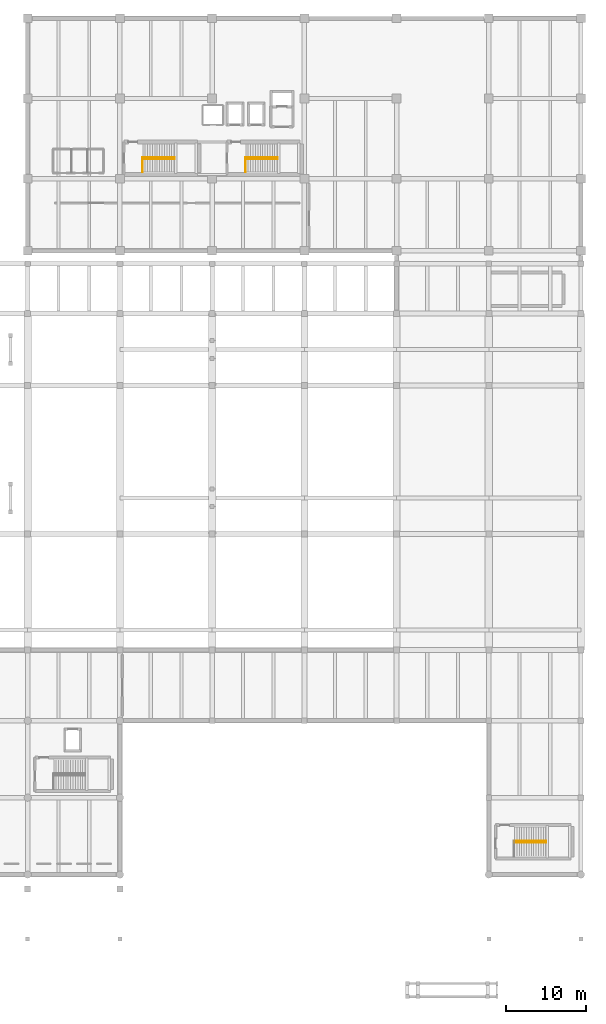
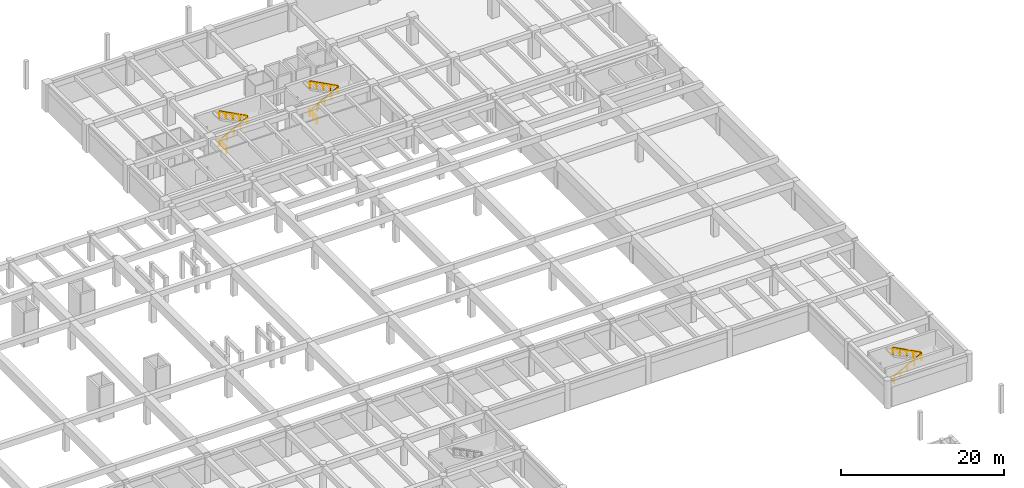
# One storey, part 20 of 20: 11 railings.
"""IFC4 building model written with IfcOpenShell, lengths in metres."""

import ifcopenshell
import ifcopenshell.guid

model = None  # the IFC model being written
_history = None  # IfcOwnerHistory: only IFC2X3 demands one
_inside = {}  # id of a spatial element -> (the spatial element, [elements in it])
_under = {}  # id of a project, library or spatial element -> (it, [spatial elements below it])
_declared = {}  # id of a project -> (the project, [libraries it declares])
_typed = {}  # id of a type object -> (the type object, [elements of that type])
_made_of = {}  # id of a material, layer set ... -> (it, [elements and type objects made of it])


def new_model(schema):
    """Start an empty IFC model of exactly this schema.

    Asked for "IFC4X3", IfcOpenShell would pick the latest addendum, in which some entities
    have other attributes; the version numbers below select the first issue.
    IFC2X3 requires an IfcOwnerHistory on every rooted entity: one is made here for all.
    """
    global model, _history
    if schema == "IFC4X3":
        model = ifcopenshell.file(schema_version=(4, 3, 0, 0))
    else:
        model = ifcopenshell.file(schema=schema)
    _inside.clear()
    _under.clear()
    _declared.clear()
    _typed.clear()
    _made_of.clear()
    _history = None
    if model.schema == "IFC2X3":
        org = make("IfcOrganization", Name="unknown")
        user = make(
            "IfcPersonAndOrganization",
            ThePerson=make("IfcPerson", FamilyName="unknown"),
            TheOrganization=org,
        )
        app = make(
            "IfcApplication",
            ApplicationDeveloper=org,
            Version="unknown",
            ApplicationFullName="unknown",
            ApplicationIdentifier="unknown",
        )
        _history = make(
            "IfcOwnerHistory",
            OwningUser=user,
            OwningApplication=app,
            ChangeAction="ADDED",
            CreationDate=0,
        )
    return model


def make(cls, **values):
    """One entity of the class cls with the attributes given. An attribute that is None is left unset."""
    return model.create_entity(
        cls, **{name: value for name, value in values.items() if value is not None}
    )


def rooted(cls, **values):
    """An entity with a GlobalId (a new one), such as an element, a storey or a relation."""
    return make(cls, GlobalId=ifcopenshell.guid.new(), OwnerHistory=_history, **values)


def si_unit(unit_type, name, prefix=None):
    """IfcSIUnit, for example si_unit("LENGTHUNIT", "METRE", prefix="MILLI")."""
    return make("IfcSIUnit", UnitType=unit_type, Prefix=prefix, Name=name)


def assignment(units):
    """IfcUnitAssignment: the units of a project."""
    return None if units is None else make("IfcUnitAssignment", Units=units)


def point(xyz):
    """IfcCartesianPoint."""
    return None if xyz is None else make("IfcCartesianPoint", Coordinates=xyz)


def direction(xyz):
    """IfcDirection."""
    return None if xyz is None else make("IfcDirection", DirectionRatios=xyz)


def frame(location, z_axis=None, x_axis=None):
    """IfcAxis2Placement3D, a coordinate frame: its origin and axes. An axis left out is left unset."""
    return make(
        "IfcAxis2Placement3D",
        Location=point(location),
        Axis=direction(z_axis),
        RefDirection=direction(x_axis),
    )


def frame_2d(location, x_axis=None):
    """IfcAxis2Placement2D, a coordinate frame in the plane: its origin and x axis."""
    return make(
        "IfcAxis2Placement2D", Location=point(location), RefDirection=direction(x_axis)
    )


def origin():
    """The frame at (0, 0, 0) with its axes left unset."""
    return frame((0.0, 0.0, 0.0))


def origin_2d():
    """The frame at (0, 0) in the plane with its x axis left unset."""
    return frame_2d((0.0, 0.0))


def place(relative_to, where):
    """IfcLocalPlacement: puts the frame where relative to a parent placement (None: the world)."""
    return make(
        "IfcLocalPlacement", PlacementRelTo=relative_to, RelativePlacement=where
    )


def context(
    kind, dimensions, precision=None, world=None, true_north=None, identifier=None
):
    """IfcGeometricRepresentationContext, for example the 3D "Model" context."""
    return make(
        "IfcGeometricRepresentationContext",
        ContextIdentifier=identifier,
        ContextType=kind,
        CoordinateSpaceDimension=dimensions,
        Precision=precision,
        WorldCoordinateSystem=world,
        TrueNorth=true_north,
    )


def subcontext(parent, identifier, kind, view, scale=None):
    """IfcGeometricRepresentationSubContext, for example "Body" below "Model"."""
    return make(
        "IfcGeometricRepresentationSubContext",
        ContextIdentifier=identifier,
        ContextType=kind,
        ParentContext=parent,
        TargetScale=scale,
        TargetView=view,
    )


def project(units=None, contexts=None):
    """IfcProject with its units and contexts."""
    return rooted(
        "IfcProject",
        Name="project",
        RepresentationContexts=contexts,
        UnitsInContext=assignment(units),
    )


def spatial(cls, under=None, at=None, **own):
    """A site, building, storey or space (cls), placed at a placement, below another one or the project."""
    s = rooted(cls, ObjectPlacement=at, **own)
    if under is not None:
        _under.setdefault(under.id(), (under, []))[1].append(s)
    return s


def profile(cls, at=None, kind="AREA", **sizes):
    """A parametric profile (cls). Its sizes go by their IFC names, for example OverallWidth=200.0."""
    return make(cls, ProfileType=kind, Position=at, **sizes)


def circle(**sizes):
    """IfcCircleProfileDef."""
    return profile("IfcCircleProfileDef", **sizes)


def extrude(swept, where, along, depth):
    """IfcExtrudedAreaSolid: the profile swept, set in the frame where, extruded along a direction by depth."""
    return make(
        "IfcExtrudedAreaSolid",
        SweptArea=swept,
        Position=where,
        ExtrudedDirection=direction(along),
        Depth=depth,
    )


def shape(context_of_items, identifier, shape_type, items):
    """IfcShapeRepresentation: the items that make up one representation, for example the "Body"."""
    return make(
        "IfcShapeRepresentation",
        ContextOfItems=context_of_items,
        RepresentationIdentifier=identifier,
        RepresentationType=shape_type,
        Items=items,
    )


def material(Name=None, Category=None):
    """IfcMaterial."""
    return make("IfcMaterial", Name=Name, Category=Category)


def made_of(thing, what):
    """Note that an element or type object is made of a material, layer set ...; save() writes the relation."""
    if what is not None:
        _made_of.setdefault(what.id(), (what, []))[1].append(thing)
    return thing


def type_object(cls, material=None, **own):
    """A type object (cls), such as IfcWallType, which elements share."""
    return made_of(rooted(cls, **own), material)


def element(
    cls,
    number,
    at=None,
    inside=None,
    cuts=None,
    type_object=None,
    material=None,
    context=None,
    identifier="Body",
    shape_type=None,
    held_by="IfcProductDefinitionShape",
    body=None,
    shapes=None,
    **own,
):
    """One element of the class cls, such as IfcWall. Its Tag is "e" and its number.

    at: its placement. inside: the storey or other place that contains it. cuts: it is an
    opening in that element (IfcRelVoidsElement). A single representation is given by context,
    identifier, shape_type and body (its items); several are given by shapes. held_by: the class
    of the entity that holds the representations. save() writes the other relations.
    """
    e = rooted(cls, Tag="e%d" % number, ObjectPlacement=at, **own)
    if body is not None:
        shapes = [shape(context, identifier, shape_type, body)]
    if shapes is not None:
        e.Representation = make(held_by, Representations=shapes)
    if inside is not None:
        _inside.setdefault(inside.id(), (inside, []))[1].append(e)
    if cuts is not None:
        rooted(
            "IfcRelVoidsElement", RelatingBuildingElement=cuts, RelatedOpeningElement=e
        )
    if type_object is not None:
        _typed.setdefault(type_object.id(), (type_object, []))[1].append(e)
    return made_of(e, material)


def aggregate(whole, parts):
    """IfcRelAggregates: a whole, such as a stair, and the parts it consists of."""
    return rooted("IfcRelAggregates", RelatingObject=whole, RelatedObjects=parts)


def save(model, path):
    """Write the relations noted so far, then the file.

    IfcRelAggregates (storeys below a building ...), IfcRelContainedInSpatialStructure (elements
    in a storey), IfcRelDefinesByType, IfcRelAssociatesMaterial and IfcRelDeclares: one each for
    every whole, place, type object, material and project.
    """
    for whole, parts in _under.values():
        aggregate(whole, parts)
    for where, things in _inside.values():
        rooted(
            "IfcRelContainedInSpatialStructure",
            RelatedElements=things,
            RelatingStructure=where,
        )
    for kind, things in _typed.values():
        rooted("IfcRelDefinesByType", RelatedObjects=things, RelatingType=kind)
    for what, things in _made_of.values():
        rooted("IfcRelAssociatesMaterial", RelatedObjects=things, RelatingMaterial=what)
    for by, libraries in _declared.values():
        rooted("IfcRelDeclares", RelatingContext=by, RelatedDefinitions=libraries)
    model.write(path)


model = new_model("IFC4")

# Units and contexts
model_context = context("Model", 3, precision=1e-05, world=origin(), true_north=direction((0.0, 1.0)))
body_context = subcontext(model_context, "Body", "Model", "MODEL_VIEW")
ifc_project = project(units=[si_unit("LENGTHUNIT", "METRE"), si_unit("AREAUNIT", "SQUARE_METRE"), si_unit("VOLUMEUNIT", "CUBIC_METRE"), si_unit("PLANEANGLEUNIT", "RADIAN"), si_unit("MASSUNIT", "GRAM", prefix="KILO")], contexts=[model_context])

# Site, building, storey
site_placement = place(None, origin())
site = spatial("IfcSite", under=ifc_project, at=site_placement, CompositionType="ELEMENT")
building_placement = place(site_placement, origin())
building = spatial("IfcBuilding", under=site, at=building_placement, Name="Ologun Quay Terminus", CompositionType="ELEMENT")
storey_placement = place(building_placement, frame((0.0, 0.0, -4.199951171875)))
storey = spatial("IfcBuildingStorey", under=building, at=storey_placement, Name="B01", CompositionType="ELEMENT", Elevation=-4.199951171875)

# Railings
ifc_material_1 = material(Name="Steel S355", Category="steel")
railing_type_1 = type_object("IfcRailingType", Name="Stair & Landing Steel Guardrail 1100", PredefinedType="GUARDRAIL", material=ifc_material_1)
railing_1_placement = place(storey_placement, frame((129.31005859375, 97.43994140625, 0.0)))
element("IfcRailing", 1, at=railing_1_placement, inside=storey, type_object=railing_type_1, Name="GR-ST Stair Floor Edge Guard ST-E1 B01", PredefinedType="GUARDRAIL", context=body_context, shape_type="SweptSolid", body=[
    extrude(circle(Radius=0.02392578125, at=origin_2d()), frame((0.0, 0.0, 1.076171875), z_axis=(0.0, -1.0, 0.0), x_axis=(1.0, 0.0, 0.0)), (0.0, 0.0, 1.0), 1.829833984375),
    extrude(circle(Radius=0.02099609375, at=origin_2d()), origin(), (0.0, 0.0, 1.0), 1.052001953125),
    extrude(circle(Radius=0.02099609375, at=origin_2d()), frame((0.0, -0.9150390625, 0.0)), (0.0, 0.0, 1.0), 1.052001953125),
    extrude(circle(Radius=0.02099609375, at=origin_2d()), frame((0.0, -1.829833984375, 0.0)), (0.0, 0.0, 1.0), 1.052001953125),
])
railing_2_placement = place(storey_placement, frame((129.35009765625, 97.25, 0.0)))
element("IfcRailing", 2, at=railing_2_placement, inside=storey, type_object=railing_type_1, Name="GR-ST Stair Inner Well Guard ST-E1 B01", PredefinedType="GUARDRAIL", context=body_context, shape_type="SweptSolid", body=[
    extrude(circle(Radius=0.02392578125, at=origin_2d()), frame((0.0, 0.0, 1.076171875), z_axis=(0.881990178689, 0.0, 0.471267784488), x_axis=(0.0, 1.0, 0.0)), (0.0, 0.0, 1.0), 4.455810546875),
    extrude(circle(Radius=0.02392578125, at=origin_2d()), frame((3.929931640625, 0.0, 3.17578125), z_axis=(0.0, 1.0, 0.0), x_axis=(-1.0, 0.0, 0.0)), (0.0, 0.0, 1.0), 0.199951171875),
    extrude(circle(Radius=0.02392578125, at=origin_2d()), frame((3.929931640625, 0.199951171875, 3.17578125), z_axis=(-0.881967403671, 0.0, 0.471310406062), x_axis=(0.0, -1.0, 0.0)), (0.0, 0.0, 1.0), 4.455810546875),
    extrude(circle(Radius=0.02099609375, at=origin_2d()), origin(), (0.0, 0.0, 1.0), 1.052001953125),
    extrude(circle(Radius=0.02099609375, at=origin_2d()), frame((0.982421875, 0.0, 0.52490234375)), (0.0, 0.0, 1.0), 1.052001953125),
    extrude(circle(Radius=0.02099609375, at=origin_2d()), frame((1.96484375, 0.0, 1.0498046875)), (0.0, 0.0, 1.0), 1.052001953125),
    extrude(circle(Radius=0.02099609375, at=origin_2d()), frame((2.947509765625, 0.0, 1.574951171875)), (0.0, 0.0, 1.0), 1.052001953125),
    extrude(circle(Radius=0.02099609375, at=origin_2d()), frame((3.929931640625, 0.0, 2.099853515625)), (0.0, 0.0, 1.0), 1.052001953125),
    extrude(circle(Radius=0.02099609375, at=origin_2d()), frame((3.929931640625, 0.199951171875, 2.099853515625)), (0.0, 0.0, 1.0), 1.052001953125),
    extrude(circle(Radius=0.02099609375, at=origin_2d()), frame((2.947509765625, 0.199951171875, 2.625)), (0.0, 0.0, 1.0), 1.052001953125),
    extrude(circle(Radius=0.02099609375, at=origin_2d()), frame((1.96484375, 0.199951171875, 3.14990234375)), (0.0, 0.0, 1.0), 1.052001953125),
    extrude(circle(Radius=0.02099609375, at=origin_2d()), frame((0.982421875, 0.199951171875, 3.6748046875)), (0.0, 0.0, 1.0), 1.052001953125),
    extrude(circle(Radius=0.02099609375, at=origin_2d()), frame((0.0, 0.199951171875, 4.199951171875)), (0.0, 0.0, 1.0), 1.052001953125),
])
railing_3_placement = place(storey_placement, frame((142.159912109375, 97.43994140625, 0.0)))
element("IfcRailing", 3, at=railing_3_placement, inside=storey, type_object=railing_type_1, Name="GR-ST Stair Floor Edge Guard ST-E2 B01", PredefinedType="GUARDRAIL", context=body_context, shape_type="SweptSolid", body=[
    extrude(circle(Radius=0.02392578125, at=origin_2d()), frame((0.0, 0.0, 1.076171875), z_axis=(0.0, -1.0, 0.0), x_axis=(1.0, 0.0, 0.0)), (0.0, 0.0, 1.0), 1.829833984375),
    extrude(circle(Radius=0.02099609375, at=origin_2d()), origin(), (0.0, 0.0, 1.0), 1.052001953125),
    extrude(circle(Radius=0.02099609375, at=origin_2d()), frame((0.0, -0.9150390625, 0.0)), (0.0, 0.0, 1.0), 1.052001953125),
    extrude(circle(Radius=0.02099609375, at=origin_2d()), frame((0.0, -1.829833984375, 0.0)), (0.0, 0.0, 1.0), 1.052001953125),
])
railing_4_placement = place(storey_placement, frame((142.199951171875, 97.25, 0.0)))
element("IfcRailing", 4, at=railing_4_placement, inside=storey, type_object=railing_type_1, Name="GR-ST Stair Inner Well Guard ST-E2 B01", PredefinedType="GUARDRAIL", context=body_context, shape_type="SweptSolid", body=[
    extrude(circle(Radius=0.02392578125, at=origin_2d()), frame((0.0, 0.0, 1.076171875), z_axis=(0.881990178689, 0.0, 0.471267784488), x_axis=(0.0, 1.0, 0.0)), (0.0, 0.0, 1.0), 4.455810546875),
    extrude(circle(Radius=0.02392578125, at=origin_2d()), frame((3.929931640625, 0.0, 3.17578125), z_axis=(0.0, 1.0, 0.0), x_axis=(-1.0, 0.0, 0.0)), (0.0, 0.0, 1.0), 0.199951171875),
    extrude(circle(Radius=0.02392578125, at=origin_2d()), frame((3.929931640625, 0.199951171875, 3.17578125), z_axis=(-0.881967403671, 0.0, 0.471310406062), x_axis=(0.0, -1.0, 0.0)), (0.0, 0.0, 1.0), 4.455810546875),
    extrude(circle(Radius=0.02099609375, at=origin_2d()), origin(), (0.0, 0.0, 1.0), 1.052001953125),
    extrude(circle(Radius=0.02099609375, at=origin_2d()), frame((0.982421875, 0.0, 0.52490234375)), (0.0, 0.0, 1.0), 1.052001953125),
    extrude(circle(Radius=0.02099609375, at=origin_2d()), frame((1.96484375, 0.0, 1.0498046875)), (0.0, 0.0, 1.0), 1.052001953125),
    extrude(circle(Radius=0.02099609375, at=origin_2d()), frame((2.947509765625, 0.0, 1.574951171875)), (0.0, 0.0, 1.0), 1.052001953125),
    extrude(circle(Radius=0.02099609375, at=origin_2d()), frame((3.929931640625, 0.0, 2.099853515625)), (0.0, 0.0, 1.0), 1.052001953125),
    extrude(circle(Radius=0.02099609375, at=origin_2d()), frame((3.929931640625, 0.199951171875, 2.099853515625)), (0.0, 0.0, 1.0), 1.052001953125),
    extrude(circle(Radius=0.02099609375, at=origin_2d()), frame((2.947509765625, 0.199951171875, 2.625)), (0.0, 0.0, 1.0), 1.052001953125),
    extrude(circle(Radius=0.02099609375, at=origin_2d()), frame((1.96484375, 0.199951171875, 3.14990234375)), (0.0, 0.0, 1.0), 1.052001953125),
    extrude(circle(Radius=0.02099609375, at=origin_2d()), frame((0.982421875, 0.199951171875, 3.6748046875)), (0.0, 0.0, 1.0), 1.052001953125),
    extrude(circle(Radius=0.02099609375, at=origin_2d()), frame((0.0, 0.199951171875, 4.199951171875)), (0.0, 0.0, 1.0), 1.052001953125),
])
railing_5_placement = place(storey_placement, frame((175.699951171875, 12.0, 0.0)))
element("IfcRailing", 5, at=railing_5_placement, inside=storey, type_object=railing_type_1, Name="GR-ST Stair Inner Well Guard ST-S2 B01", PredefinedType="GUARDRAIL", context=body_context, shape_type="SweptSolid", body=[
    extrude(circle(Radius=0.02392578125, at=origin_2d()), frame((0.0, 0.0, 1.076171875), z_axis=(0.881990178689, 0.0, 0.471267784488), x_axis=(0.0, 1.0, 0.0)), (0.0, 0.0, 1.0), 4.455810546875),
    extrude(circle(Radius=0.02392578125, at=origin_2d()), frame((3.929931640625, 0.0, 3.17578125), z_axis=(0.0, 1.0, 0.0), x_axis=(-1.0, 0.0, 0.0)), (0.0, 0.0, 1.0), 0.199951171875),
    extrude(circle(Radius=0.02392578125, at=origin_2d()), frame((3.929931640625, 0.199951171875, 3.17578125), z_axis=(-0.881967403671, 0.0, 0.471310406062), x_axis=(0.0, -1.0, 0.0)), (0.0, 0.0, 1.0), 4.455810546875),
    extrude(circle(Radius=0.02099609375, at=origin_2d()), origin(), (0.0, 0.0, 1.0), 1.052001953125),
    extrude(circle(Radius=0.02099609375, at=origin_2d()), frame((0.982421875, 0.0, 0.52490234375)), (0.0, 0.0, 1.0), 1.052001953125),
    extrude(circle(Radius=0.02099609375, at=origin_2d()), frame((1.96484375, 0.0, 1.0498046875)), (0.0, 0.0, 1.0), 1.052001953125),
    extrude(circle(Radius=0.02099609375, at=origin_2d()), frame((2.947509765625, 0.0, 1.574951171875)), (0.0, 0.0, 1.0), 1.052001953125),
    extrude(circle(Radius=0.02099609375, at=origin_2d()), frame((3.929931640625, 0.0, 2.099853515625)), (0.0, 0.0, 1.0), 1.052001953125),
    extrude(circle(Radius=0.02099609375, at=origin_2d()), frame((3.929931640625, 0.199951171875, 2.099853515625)), (0.0, 0.0, 1.0), 1.052001953125),
    extrude(circle(Radius=0.02099609375, at=origin_2d()), frame((2.947509765625, 0.199951171875, 2.625)), (0.0, 0.0, 1.0), 1.052001953125),
    extrude(circle(Radius=0.02099609375, at=origin_2d()), frame((1.96484375, 0.199951171875, 3.14990234375)), (0.0, 0.0, 1.0), 1.052001953125),
    extrude(circle(Radius=0.02099609375, at=origin_2d()), frame((0.982421875, 0.199951171875, 3.6748046875)), (0.0, 0.0, 1.0), 1.052001953125),
    extrude(circle(Radius=0.02099609375, at=origin_2d()), frame((0.0, 0.199951171875, 4.199951171875)), (0.0, 0.0, 1.0), 1.052001953125),
])
ifc_material_2 = material(Name="Steel S355", Category="steel")
railing_type_2 = type_object("IfcRailingType", Name="Stair Stainless Tubular Handrail 920", PredefinedType="HANDRAIL", material=ifc_material_2)
railing_6_placement = place(storey_placement, frame((129.35009765625, 97.239990234375, 0.14990234375)))
element("IfcRailing", 6, at=railing_6_placement, inside=storey, type_object=railing_type_2, Name="HR-ST Handrail ST-E1-F1 B01", PredefinedType="HANDRAIL", context=body_context, shape_type="SweptSolid", body=[
    extrude(circle(Radius=0.02392578125, at=origin_2d()), frame((0.0, 0.0, 0.89599609375), z_axis=(0.894427191, 0.0, 0.4472135955), x_axis=(0.0, 1.0, 0.0)), (0.0, 0.0, 1.0), 4.360107421875),
    extrude(circle(Radius=0.02099609375, at=origin_2d()), origin(), (0.0, 0.0, 1.0), 0.871826171875),
    extrude(circle(Radius=0.02099609375, at=origin_2d()), frame((0.97509765625, 0.0, 0.487548828125)), (0.0, 0.0, 1.0), 0.871826171875),
    extrude(circle(Radius=0.02099609375, at=origin_2d()), frame((1.949951171875, 0.0, 0.97509765625)), (0.0, 0.0, 1.0), 0.871826171875),
    extrude(circle(Radius=0.02099609375, at=origin_2d()), frame((2.9248046875, 0.0, 1.46240234375)), (0.0, 0.0, 1.0), 0.871826171875),
    extrude(circle(Radius=0.02099609375, at=origin_2d()), frame((3.89990234375, 0.0, 1.949951171875)), (0.0, 0.0, 1.0), 0.871826171875),
])
railing_7_placement = place(storey_placement, frame((133.25, 97.4599609375, 2.25)))
element("IfcRailing", 7, at=railing_7_placement, inside=storey, type_object=railing_type_2, Name="HR-ST Handrail ST-E1-F2 B01", PredefinedType="HANDRAIL", context=body_context, shape_type="SweptSolid", body=[
    extrude(circle(Radius=0.02392578125, at=origin_2d()), frame((0.0, 0.0, 0.89599609375), z_axis=(-0.894427191, 0.0, 0.4472135955), x_axis=(0.0, -1.0, 0.0)), (0.0, 0.0, 1.0), 4.360107421875),
    extrude(circle(Radius=0.02099609375, at=origin_2d()), origin(), (0.0, 0.0, 1.0), 0.871826171875),
    extrude(circle(Radius=0.02099609375, at=origin_2d()), frame((-0.97509765625, 0.0, 0.487548828125)), (0.0, 0.0, 1.0), 0.871826171875),
    extrude(circle(Radius=0.02099609375, at=origin_2d()), frame((-1.949951171875, 0.0, 0.97509765625)), (0.0, 0.0, 1.0), 0.871826171875),
    extrude(circle(Radius=0.02099609375, at=origin_2d()), frame((-2.9248046875, 0.0, 1.46240234375)), (0.0, 0.0, 1.0), 0.871826171875),
    extrude(circle(Radius=0.02099609375, at=origin_2d()), frame((-3.89990234375, 0.0, 1.949951171875)), (0.0, 0.0, 1.0), 0.871826171875),
])
railing_8_placement = place(storey_placement, frame((142.199951171875, 97.239990234375, 0.14990234375)))
element("IfcRailing", 8, at=railing_8_placement, inside=storey, type_object=railing_type_2, Name="HR-ST Handrail ST-E2-F1 B01", PredefinedType="HANDRAIL", context=body_context, shape_type="SweptSolid", body=[
    extrude(circle(Radius=0.02392578125, at=origin_2d()), frame((0.0, 0.0, 0.89599609375), z_axis=(0.894438388696, 0.0, 0.447191199406), x_axis=(0.0, 1.0, 0.0)), (0.0, 0.0, 1.0), 4.3603515625),
    extrude(circle(Radius=0.02099609375, at=origin_2d()), origin(), (0.0, 0.0, 1.0), 0.871826171875),
    extrude(circle(Radius=0.02099609375, at=origin_2d()), frame((0.97509765625, 0.0, 0.487548828125)), (0.0, 0.0, 1.0), 0.871826171875),
    extrude(circle(Radius=0.02099609375, at=origin_2d()), frame((1.9501953125, 0.0, 0.97509765625)), (0.0, 0.0, 1.0), 0.871826171875),
    extrude(circle(Radius=0.02099609375, at=origin_2d()), frame((2.925048828125, 0.0, 1.46240234375)), (0.0, 0.0, 1.0), 0.871826171875),
    extrude(circle(Radius=0.02099609375, at=origin_2d()), frame((3.900146484375, 0.0, 1.949951171875)), (0.0, 0.0, 1.0), 0.871826171875),
])
railing_9_placement = place(storey_placement, frame((146.10009765625, 97.4599609375, 2.25)))
element("IfcRailing", 9, at=railing_9_placement, inside=storey, type_object=railing_type_2, Name="HR-ST Handrail ST-E2-F2 B01", PredefinedType="HANDRAIL", context=body_context, shape_type="SweptSolid", body=[
    extrude(circle(Radius=0.02392578125, at=origin_2d()), frame((0.0, 0.0, 0.89599609375), z_axis=(-0.894438388696, 0.0, 0.447191199406), x_axis=(0.0, -1.0, 0.0)), (0.0, 0.0, 1.0), 4.3603515625),
    extrude(circle(Radius=0.02099609375, at=origin_2d()), origin(), (0.0, 0.0, 1.0), 0.871826171875),
    extrude(circle(Radius=0.02099609375, at=origin_2d()), frame((-0.97509765625, 0.0, 0.487548828125)), (0.0, 0.0, 1.0), 0.871826171875),
    extrude(circle(Radius=0.02099609375, at=origin_2d()), frame((-1.9501953125, 0.0, 0.97509765625)), (0.0, 0.0, 1.0), 0.871826171875),
    extrude(circle(Radius=0.02099609375, at=origin_2d()), frame((-2.925048828125, 0.0, 1.46240234375)), (0.0, 0.0, 1.0), 0.871826171875),
    extrude(circle(Radius=0.02099609375, at=origin_2d()), frame((-3.900146484375, 0.0, 1.949951171875)), (0.0, 0.0, 1.0), 0.871826171875),
])
railing_10_placement = place(storey_placement, frame((175.699951171875, 11.989990234375, 0.14990234375)))
element("IfcRailing", 10, at=railing_10_placement, inside=storey, type_object=railing_type_2, Name="HR-ST Handrail ST-S2-F1 B01", PredefinedType="HANDRAIL", context=body_context, shape_type="SweptSolid", body=[
    extrude(circle(Radius=0.02392578125, at=origin_2d()), frame((0.0, 0.0, 0.89599609375), z_axis=(0.894438388696, 0.0, 0.447191199406), x_axis=(0.0, 1.0, 0.0)), (0.0, 0.0, 1.0), 4.3603515625),
    extrude(circle(Radius=0.02099609375, at=origin_2d()), origin(), (0.0, 0.0, 1.0), 0.871826171875),
    extrude(circle(Radius=0.02099609375, at=origin_2d()), frame((0.97509765625, 0.0, 0.487548828125)), (0.0, 0.0, 1.0), 0.871826171875),
    extrude(circle(Radius=0.02099609375, at=origin_2d()), frame((1.9501953125, 0.0, 0.97509765625)), (0.0, 0.0, 1.0), 0.871826171875),
    extrude(circle(Radius=0.02099609375, at=origin_2d()), frame((2.925048828125, 0.0, 1.46240234375)), (0.0, 0.0, 1.0), 0.871826171875),
    extrude(circle(Radius=0.02099609375, at=origin_2d()), frame((3.900146484375, 0.0, 1.949951171875)), (0.0, 0.0, 1.0), 0.871826171875),
])
railing_11_placement = place(storey_placement, frame((179.60009765625, 12.2099609375, 2.25)))
element("IfcRailing", 11, at=railing_11_placement, inside=storey, type_object=railing_type_2, Name="HR-ST Handrail ST-S2-F2 B01", PredefinedType="HANDRAIL", context=body_context, shape_type="SweptSolid", body=[
    extrude(circle(Radius=0.02392578125, at=origin_2d()), frame((0.0, 0.0, 0.89599609375), z_axis=(-0.894438388696, 0.0, 0.447191199406), x_axis=(0.0, -1.0, 0.0)), (0.0, 0.0, 1.0), 4.3603515625),
    extrude(circle(Radius=0.02099609375, at=origin_2d()), origin(), (0.0, 0.0, 1.0), 0.871826171875),
    extrude(circle(Radius=0.02099609375, at=origin_2d()), frame((-0.97509765625, 0.0, 0.487548828125)), (0.0, 0.0, 1.0), 0.871826171875),
    extrude(circle(Radius=0.02099609375, at=origin_2d()), frame((-1.9501953125, 0.0, 0.97509765625)), (0.0, 0.0, 1.0), 0.871826171875),
    extrude(circle(Radius=0.02099609375, at=origin_2d()), frame((-2.925048828125, 0.0, 1.46240234375)), (0.0, 0.0, 1.0), 0.871826171875),
    extrude(circle(Radius=0.02099609375, at=origin_2d()), frame((-3.900146484375, 0.0, 1.949951171875)), (0.0, 0.0, 1.0), 0.871826171875),
])

save(model, "model.ifc")
